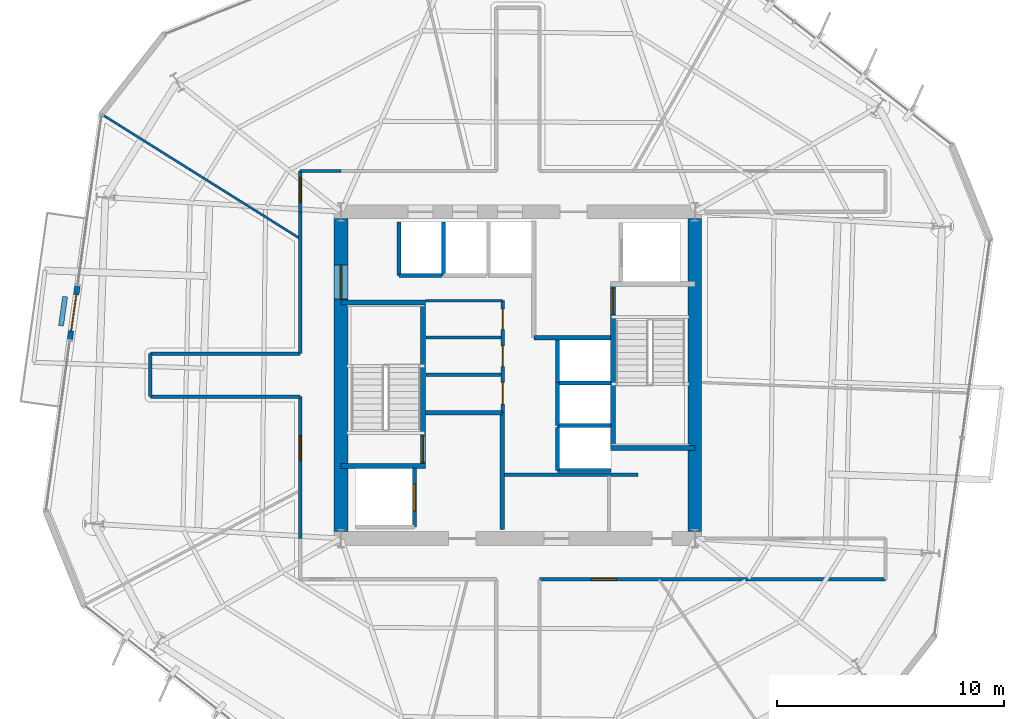
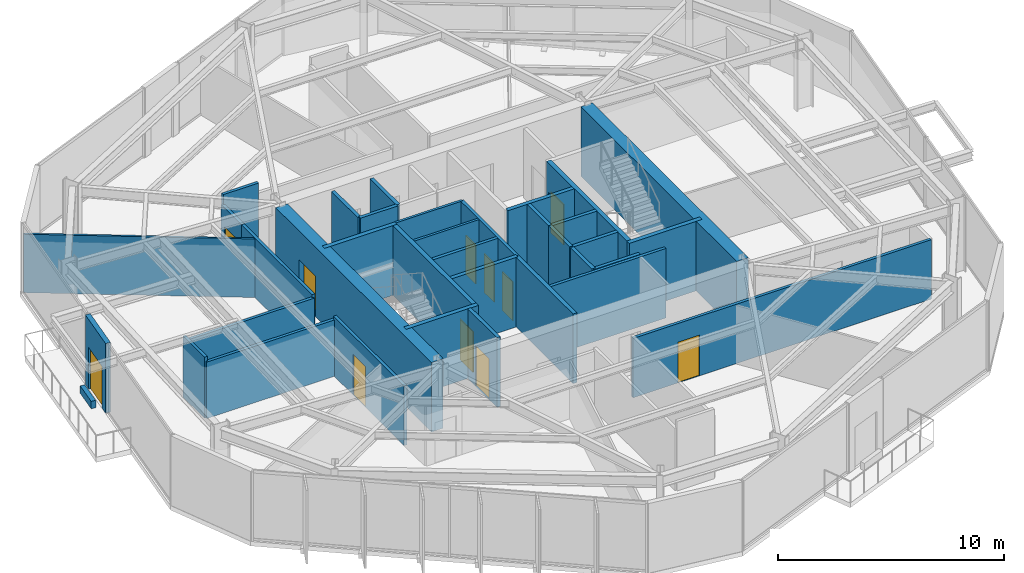
# One storey, part 7 of 12: 36 walls, 11 doors, 11 openings.
"""IFC4 building model written with IfcOpenShell, lengths in metres."""

from ifc_helpers import new_model, si_unit, direction, frame, frame_2d, origin, place, context, subcontext, project, spatial, rectangle, extrude, material, layer, layer_set, type_object, element, fill, save


model = new_model("IFC4")

# Units and contexts
model_context = context("Model", 3, precision=1e-05, world=origin(), true_north=direction((0.0, 1.0)))
body_context = subcontext(model_context, "Body", "Model", "MODEL_VIEW")
ifc_project = project(units=[si_unit("LENGTHUNIT", "METRE"), si_unit("AREAUNIT", "SQUARE_METRE"), si_unit("VOLUMEUNIT", "CUBIC_METRE"), si_unit("PLANEANGLEUNIT", "RADIAN"), si_unit("MASSUNIT", "GRAM", prefix="KILO")], contexts=[model_context])

# Site, building, storey
site_placement = place(None, origin())
site = spatial("IfcSite", under=ifc_project, at=site_placement, CompositionType="ELEMENT")
building_placement = place(site_placement, origin())
building = spatial("IfcBuilding", under=site, at=building_placement, Name="Kranzbogen Civic Tower", CompositionType="ELEMENT")
storey_placement = place(building_placement, frame((0.0, 0.0, 110.39990234375)))
storey = spatial("IfcBuildingStorey", under=building, at=storey_placement, Name="L26", CompositionType="ELEMENT", Elevation=110.39990234375)

# Wall
ifc_material_1 = material(Name="Double-Stud Acoustic Gypsum Partition")
ifc_layer_1 = layer(ifc_material_1, 0.14990234375, Name="Double-Stud Acoustic Gypsum Partition")
ifc_layer_set_1 = layer_set([ifc_layer_1], Name="Double-Stud Acoustic Gypsum Partition")
wall_type_1 = type_object("IfcWallType", Name="Acoustic Corridor and Clinical Partition 150 mm", PredefinedType="PARTITIONING", material=ifc_layer_set_1)
wall_1_placement = place(storey_placement, frame((24.39990234375, 20.610107421875, 0.0), z_axis=(0.0, 0.0, 1.0), x_axis=(1.0, 0.0, 0.0)))
element("IfcWall", 1, at=wall_1_placement, inside=storey, type_object=wall_type_1, Name="L26 records zone North wall", PredefinedType="PARTITIONING", context=body_context, shape_type="SweptSolid", body=[
    extrude(rectangle(XDim=5.900146484375, YDim=0.14990234375, at=frame_2d((2.9501953125, 0.0))), origin(), (0.0, 0.0, 1.0), 3.760009765625),
])

# Wall, opening, door
wall_2_placement = place(storey_placement, frame((15.39990234375, 17.800048828125, 0.0), z_axis=(0.0, 0.0, 1.0), x_axis=(0.0, 1.0, 0.0)))
wall_2 = element("IfcWall", 2, at=wall_2_placement, inside=storey, type_object=wall_type_1, Name="L26 corridor partition 03", PredefinedType="PARTITIONING", context=body_context, shape_type="SweptSolid", body=[
    extrude(rectangle(XDim=6.25, YDim=0.14990234375, at=frame_2d((3.125, 0.0))), origin(), (0.0, 0.0, 1.0), 3.210205078125),
])
opening_1_placement = place(wall_2_placement, frame((3.428955078125, 0.0, 0.0)))
opening_1 = element("IfcOpeningElement", 3, at=opening_1_placement, cuts=wall_2, Name="Opening D-COR60", PredefinedType="OPENING", context=body_context, shape_type="SweptSolid", body=[
    extrude(rectangle(XDim=1.10009765625, YDim=2.199951171875, at=frame_2d((0.550048828125, 1.10009765625))), frame((0.0, 0.0849609375, 0.0), z_axis=(0.0, -1.0, 0.0), x_axis=(1.0, 0.0, 0.0)), (0.0, 0.0, 1.0), 0.169921875),
])
ifc_material_2 = material(Name="Oak Timber and Fire Core", Category="wood")
door_type_1 = type_object("IfcDoorType", Name="Corridor Acoustic Fire Door 1100x2200", OperationType="NOTDEFINED", PredefinedType="DOOR", material=ifc_material_2)
door_1_placement = place(opening_1_placement, origin())
door_1 = element("IfcDoor", 4, at=door_1_placement, inside=storey, type_object=door_type_1, Name="L26 Public Delegation Reception door", OperationType="SINGLE_SWING_RIGHT", OverallHeight=2.199951171875, OverallWidth=1.10009765625, PredefinedType="DOOR", context=body_context, shape_type="SweptSolid", body=[
    extrude(rectangle(XDim=1.10009765625, YDim=2.199951171875, at=frame_2d((0.550048828125, 1.10009765625))), frame((0.0, 0.02490234375, 0.0), z_axis=(0.0, -1.0, 0.0), x_axis=(1.0, 0.0, 0.0)), (0.0, 0.0, 1.0), 0.050048828125),
])
fill(opening_1, door_1)

# Walls
wall_3_placement = place(storey_placement, frame((15.39990234375, 24.050048828125, 0.0), z_axis=(0.0, 0.0, 1.0), x_axis=(-1.0, 0.0, 0.0)))
element("IfcWall", 5, at=wall_3_placement, inside=storey, type_object=wall_type_1, Name="L26 corridor partition 04", PredefinedType="PARTITIONING", context=body_context, shape_type="SweptSolid", body=[
    extrude(rectangle(XDim=6.599853515625, YDim=0.14990234375, at=frame_2d((3.2998046875, 0.0))), origin(), (0.0, 0.0, 1.0), 3.050048828125),
])
wall_4_placement = place(storey_placement, frame((8.800048828125, 24.050048828125, 0.0), z_axis=(0.0, 0.0, 1.0), x_axis=(0.0, 1.0, 0.0)))
element("IfcWall", 6, at=wall_4_placement, inside=storey, type_object=wall_type_1, Name="L26 corridor partition 05", PredefinedType="PARTITIONING", context=body_context, shape_type="SweptSolid", body=[
    extrude(rectangle(XDim=1.89990234375, YDim=0.14990234375, at=frame_2d((0.949951171875, 0.0))), origin(), (0.0, 0.0, 1.0), 3.300048828125),
])
wall_5_placement = place(storey_placement, frame((8.800048828125, 25.949951171875, 0.0), z_axis=(0.0, 0.0, 1.0), x_axis=(1.0, 0.0, 0.0)))
element("IfcWall", 7, at=wall_5_placement, inside=storey, type_object=wall_type_1, Name="L26 corridor partition 06", PredefinedType="PARTITIONING", context=body_context, shape_type="SweptSolid", body=[
    extrude(rectangle(XDim=6.599853515625, YDim=0.14990234375, at=frame_2d((3.2998046875, 0.0))), origin(), (0.0, 0.0, 1.0), 3.050048828125),
])
wall_6_placement = place(storey_placement, frame((15.39990234375, 25.949951171875, 0.0), z_axis=(0.0, 0.0, 1.0), x_axis=(0.0, 1.0, 0.0)))
element("IfcWall", 8, at=wall_6_placement, inside=storey, type_object=wall_type_1, Name="L26 corridor partition 07", PredefinedType="PARTITIONING", context=body_context, shape_type="SweptSolid", body=[
    extrude(rectangle(XDim=6.25, YDim=0.14990234375, at=frame_2d((3.125, 0.0))), origin(), (0.0, 0.0, 1.0), 3.210205078125),
])

# Wall, opening, door
wall_7_placement = place(storey_placement, frame((15.39990234375, 32.199951171875, 0.0), z_axis=(0.0, 0.0, 1.0), x_axis=(0.0, 1.0, 0.0)))
wall_7 = element("IfcWall", 9, at=wall_7_placement, inside=storey, type_object=wall_type_1, Name="L26 corridor partition 08", PredefinedType="PARTITIONING", context=body_context, shape_type="SweptSolid", body=[
    extrude(rectangle(XDim=1.800048828125, YDim=0.14990234375, at=frame_2d((0.89990234375, 0.0))), origin(), (0.0, 0.0, 1.0), 3.210205078125),
])
opening_2_placement = place(wall_7_placement, frame((0.4130859375, 0.0, 0.0)))
opening_2 = element("IfcOpeningElement", 10, at=opening_2_placement, cuts=wall_7, Name="Opening D-COR60", PredefinedType="OPENING", context=body_context, shape_type="SweptSolid", body=[
    extrude(rectangle(XDim=1.10009765625, YDim=2.199951171875, at=frame_2d((0.550048828125, 1.10009765625))), frame((0.0, 0.0849609375, 0.0), z_axis=(0.0, -1.0, 0.0), x_axis=(1.0, 0.0, 0.0)), (0.0, 0.0, 1.0), 0.169921875),
])
door_2_placement = place(opening_2_placement, origin())
door_2 = element("IfcDoor", 11, at=door_2_placement, inside=storey, type_object=door_type_1, Name="L26 Protocol Dining Room door", OperationType="SINGLE_SWING_LEFT", OverallHeight=2.199951171875, OverallWidth=1.10009765625, PredefinedType="DOOR", context=body_context, shape_type="SweptSolid", body=[
    extrude(rectangle(XDim=1.10009765625, YDim=2.199951171875, at=frame_2d((0.550048828125, 1.10009765625))), frame((0.0, 0.02490234375, 0.0), z_axis=(0.0, -1.0, 0.0), x_axis=(1.0, 0.0, 0.0)), (0.0, 0.0, 1.0), 0.050048828125),
])
fill(opening_2, door_2)

# Wall
wall_8_placement = place(storey_placement, frame((15.39990234375, 34.0, 0.0), z_axis=(0.0, 0.0, 1.0), x_axis=(1.0, 0.0, 0.0)))
element("IfcWall", 12, at=wall_8_placement, inside=storey, type_object=wall_type_1, Name="L26 corridor partition 09", PredefinedType="PARTITIONING", context=body_context, shape_type="SweptSolid", body=[
    extrude(rectangle(XDim=1.800048828125, YDim=0.14990234375, at=frame_2d((0.89990234375, 0.0))), origin(), (0.0, 0.0, 1.0), 3.760009765625),
])

# Wall, opening, door
wall_9_placement = place(storey_placement, frame((41.199951171875, 16.0, 0.0), z_axis=(0.0, 0.0, 1.0), x_axis=(-1.0, 0.0, 0.0)))
wall_9 = element("IfcWall", 13, at=wall_9_placement, inside=storey, type_object=wall_type_1, Name="L26 corridor partition 19", PredefinedType="PARTITIONING", context=body_context, shape_type="SweptSolid", body=[
    extrude(rectangle(XDim=15.25, YDim=0.14990234375, at=frame_2d((7.625, 0.0))), origin(), (0.0, 0.0, 1.0), 3.210205078125),
])
opening_3_placement = place(wall_9_placement, frame((11.861083984375, 0.0, 0.0)))
opening_3 = element("IfcOpeningElement", 14, at=opening_3_placement, cuts=wall_9, Name="Opening D-COR60", PredefinedType="OPENING", context=body_context, shape_type="SweptSolid", body=[
    extrude(rectangle(XDim=1.10009765625, YDim=2.199951171875, at=frame_2d((0.550048828125, 1.10009765625))), frame((0.0, 0.0849609375, 0.0), z_axis=(0.0, -1.0, 0.0), x_axis=(1.0, 0.0, 0.0)), (0.0, 0.0, 1.0), 0.169921875),
])
door_3_placement = place(opening_3_placement, origin())
door_3 = element("IfcDoor", 15, at=door_3_placement, inside=storey, type_object=door_type_1, Name="L26 Parliamentary Review Boardroom door", OperationType="SINGLE_SWING_LEFT", OverallHeight=2.199951171875, OverallWidth=1.10009765625, PredefinedType="DOOR", context=body_context, shape_type="SweptSolid", body=[
    extrude(rectangle(XDim=1.10009765625, YDim=2.199951171875, at=frame_2d((0.550048828125, 1.10009765625))), frame((0.0, 0.02490234375, 0.0), z_axis=(0.0, -1.0, 0.0), x_axis=(1.0, 0.0, 0.0)), (0.0, 0.0, 1.0), 0.050048828125),
])
fill(opening_3, door_3)

# Walls
ifc_material_3 = material(Name="Insulated Metal-Stud Gypsum Partition")
ifc_layer_2 = layer(ifc_material_3, 0.125, Name="Insulated Metal-Stud Gypsum Partition")
ifc_layer_set_2 = layer_set([ifc_layer_2], Name="Insulated Metal-Stud Gypsum Partition")
wall_type_2 = type_object("IfcWallType", Name="Acoustic Inter-Room Partition 125 mm", PredefinedType="PARTITIONING", material=ifc_layer_set_2)
wall_10_placement = place(storey_placement, frame((20.919921875, 28.280029296875, 0.0), z_axis=(0.0, 0.0, 1.0), x_axis=(1.0, 0.0, 0.0)))
element("IfcWall", 16, at=wall_10_placement, inside=storey, type_object=wall_type_2, Name="L26 core auxiliary North wall", PredefinedType="PARTITIONING", context=body_context, shape_type="SweptSolid", body=[
    extrude(rectangle(XDim=3.405029296875, YDim=0.125, at=frame_2d((1.70263671875, 0.0))), origin(), (0.0, 0.0, 1.0), 3.760009765625),
])
wall_11_placement = place(storey_placement, frame((20.949951171875, 26.659912109375, 0.0), z_axis=(0.0, 0.0, 1.0), x_axis=(1.0, 0.0, 0.0)))
element("IfcWall", 17, at=wall_11_placement, inside=storey, type_object=wall_type_2, Name="L26 core auxiliary partition 3", PredefinedType="PARTITIONING", context=body_context, shape_type="SweptSolid", body=[
    extrude(rectangle(XDim=3.300048828125, YDim=0.125, at=frame_2d((1.64990234375, 0.0))), origin(), (0.0, 0.0, 1.0), 3.760009765625),
])
ifc_material_4 = material(Name="Architectural Precast Terracotta Concrete C40/50", Category="masonry")
ifc_layer_3 = layer(ifc_material_4, 0.219970703125, Name="Architectural Precast Terracotta Concrete C40/50")
ifc_layer_set_3 = layer_set([ifc_layer_3], Name="Architectural Precast Terracotta Concrete C40/50")
wall_type_3 = type_object("IfcWallType", Name="Architectural Tree Planter Kerb Wall 220 mm", PredefinedType="USERDEFINED", material=ifc_layer_set_3)
wall_12_placement = place(storey_placement, frame((5.0400390625, 28.4619140625, 0.0), z_axis=(0.0, 0.0, 1.0), x_axis=(-0.138371628126, -0.990380377698, 0.0)))
element("IfcWall", 18, at=wall_12_placement, inside=storey, type_object=wall_type_3, Name="L26 landscaped tree balcony planter L26-ST", ObjectType="PLANTER_WALL", PredefinedType="USERDEFINED", context=body_context, shape_type="SweptSolid", body=[
    extrude(rectangle(XDim=1.30029296875, YDim=0.219970703125, at=frame_2d((0.650146484375, 0.0))), origin(), (0.0, 0.0, 1.0), 0.400146484375),
])

# Wall, opening, door
ifc_material_5 = material(Name="Concrete C55/67", Category="concrete")
ifc_layer_4 = layer(ifc_material_5, 0.60009765625, Name="Concrete C55/67")
ifc_layer_set_4 = layer_set([ifc_layer_4], Name="Concrete C55/67")
wall_type_4 = type_object("IfcWallType", Name="Central Core Shear Wall 600 mm", PredefinedType="SHEAR", material=ifc_layer_set_4)
wall_13_placement = place(storey_placement, frame((17.199951171875, 31.89990234375, 0.0), z_axis=(0.0, 0.0, 1.0), x_axis=(0.0, -1.0, 0.0)))
wall_13 = element("IfcWall", 19, at=wall_13_placement, inside=storey, type_object=wall_type_4, Name="L26 central core West shear wall", PredefinedType="SHEAR", context=body_context, shape_type="SweptSolid", body=[
    extrude(rectangle(XDim=13.7998046875, YDim=0.60009765625, at=frame_2d((6.89990234375, 0.0))), origin(), (0.0, 0.0, 1.0), 3.760009765625),
])
opening_4_placement = place(wall_13_placement, frame((2.050048828125, 0.0, 0.0)))
opening_4 = element("IfcOpeningElement", 20, at=opening_4_placement, cuts=wall_13, Name="Opening D-DBL15", PredefinedType="OPENING", context=body_context, shape_type="SweptSolid", body=[
    extrude(rectangle(XDim=1.5, YDim=2.199951171875, at=frame_2d((0.75, 1.10009765625))), frame((0.0, 0.31005859375, 0.0), z_axis=(0.0, -1.0, 0.0), x_axis=(1.0, 0.0, 0.0)), (0.0, 0.0, 1.0), 0.6201171875),
])
ifc_material_6 = material(Name="Anodised Bronze and Glass", Category="glass")
door_type_2 = type_object("IfcDoorType", Name="Civic Lobby Double Door 1500x2200", OperationType="DOUBLE_DOOR_SINGLE_SWING", PredefinedType="DOOR", material=ifc_material_6)
door_4_placement = place(opening_4_placement, origin())
door_4 = element("IfcDoor", 21, at=door_4_placement, inside=storey, type_object=door_type_2, Name="L26 Central Lift Lobby West concourse door", OperationType="DOUBLE_DOOR_SINGLE_SWING", OverallHeight=2.199951171875, OverallWidth=1.5, PredefinedType="DOOR", context=body_context, shape_type="SweptSolid", body=[
    extrude(rectangle(XDim=1.5, YDim=2.199951171875, at=frame_2d((0.75, 1.10009765625))), frame((0.0, 0.02490234375, 0.0), z_axis=(0.0, -1.0, 0.0), x_axis=(1.0, 0.0, 0.0)), (0.0, 0.0, 1.0), 0.050048828125),
])
fill(opening_4, door_4)

# Wall
wall_14_placement = place(storey_placement, frame((32.800048828125, 18.10009765625, 0.0), z_axis=(0.0, 0.0, 1.0), x_axis=(0.0, 1.0, 0.0)))
element("IfcWall", 22, at=wall_14_placement, inside=storey, type_object=wall_type_4, Name="L26 central core East shear wall", PredefinedType="SHEAR", context=body_context, shape_type="SweptSolid", body=[
    extrude(rectangle(XDim=13.7998046875, YDim=0.60009765625, at=frame_2d((6.89990234375, 0.0))), origin(), (0.0, 0.0, 1.0), 3.760009765625),
])

# Wall, opening, door
ifc_material_7 = material(Name="Concrete C45/55", Category="concrete")
ifc_layer_5 = layer(ifc_material_7, 0.219970703125, Name="Concrete C45/55")
ifc_layer_set_5 = layer_set([ifc_layer_5], Name="Concrete C45/55")
wall_type_5 = type_object("IfcWallType", Name="Core Internal Stair Structural Wall 220 mm", PredefinedType="SOLIDWALL", material=ifc_layer_set_5)
wall_15_placement = place(storey_placement, frame((20.81005859375, 20.989990234375, 0.0), z_axis=(0.0, 0.0, 1.0), x_axis=(0.0, 1.0, 0.0)))
wall_15 = element("IfcWall", 23, at=wall_15_placement, inside=storey, type_object=wall_type_5, Name="L26 ST-T1 East structural stair wall", PredefinedType="SOLIDWALL", context=body_context, shape_type="SweptSolid", body=[
    extrude(rectangle(XDim=7.219970703125, YDim=0.219970703125, at=frame_2d((3.60986328125, 0.0))), origin(), (0.0, 0.0, 1.0), 3.760009765625),
])
opening_5_placement = place(wall_15_placement, frame((0.179931640625, 0.0, 0.0)))
opening_5 = element("IfcOpeningElement", 24, at=opening_5_placement, cuts=wall_15, Name="Opening D-ST90", PredefinedType="OPENING", context=body_context, shape_type="SweptSolid", body=[
    extrude(rectangle(XDim=1.14990234375, YDim=2.199951171875, at=frame_2d((0.574951171875, 1.10009765625))), frame((0.0, 0.1201171875, 0.0), z_axis=(0.0, -1.0, 0.0), x_axis=(1.0, 0.0, 0.0)), (0.0, 0.0, 1.0), 0.239990234375),
])
ifc_material_8 = material(Name="Steel S355", Category="steel")
door_type_3 = type_object("IfcDoorType", Name="Pressurized Stair and Lobby Fire Door 1150x2200", OperationType="NOTDEFINED", PredefinedType="DOOR", material=ifc_material_8)
door_5_placement = place(opening_5_placement, origin())
door_5 = element("IfcDoor", 25, at=door_5_placement, inside=storey, type_object=door_type_3, Name="L26 Stair ST-T1 fire door", OperationType="SINGLE_SWING_LEFT", OverallHeight=2.199951171875, OverallWidth=1.14990234375, PredefinedType="DOOR", context=body_context, shape_type="SweptSolid", body=[
    extrude(rectangle(XDim=1.14990234375, YDim=2.199951171875, at=frame_2d((0.574951171875, 1.10009765625))), frame((0.0, 0.02490234375, 0.0), z_axis=(0.0, -1.0, 0.0), x_axis=(1.0, 0.0, 0.0)), (0.0, 0.0, 1.0), 0.050048828125),
])
fill(opening_5, door_5)

# Walls
for number, where, z_axis, x_axis, name in (
    (26, (17.199951171875, 20.989990234375, 0.0), (0.0, 0.0, 1.0), (1.0, 0.0, 0.0), "L26 ST-T1 South structural stair wall"),
    (27, (17.199951171875, 28.2099609375, 0.0), (0.0, 0.0, 1.0), (1.0, 0.0, 0.0), "L26 ST-T1 North structural stair wall"),
):
    element("IfcWall", number, at=place(storey_placement, frame(where, z_axis=z_axis, x_axis=x_axis)), inside=storey, type_object=wall_type_5, Name=name, PredefinedType="SOLIDWALL", context=body_context, shape_type="SweptSolid", body=[
        extrude(rectangle(XDim=3.719970703125, YDim=0.219970703125, at=frame_2d((1.85986328125, 0.0))), origin(), (0.0, 0.0, 1.0), 3.760009765625),
    ])

# Wall, opening, door
wall_16_placement = place(storey_placement, frame((29.18994140625, 21.7900390625, 0.0), z_axis=(0.0, 0.0, 1.0), x_axis=(0.0, 1.0, 0.0)))
wall_16 = element("IfcWall", 28, at=wall_16_placement, inside=storey, type_object=wall_type_5, Name="L26 ST-T2 West structural stair wall", PredefinedType="SOLIDWALL", context=body_context, shape_type="SweptSolid", body=[
    extrude(rectangle(XDim=7.219970703125, YDim=0.219970703125, at=frame_2d((3.60986328125, 0.0))), origin(), (0.0, 0.0, 1.0), 3.760009765625),
])
opening_6_placement = place(wall_16_placement, frame((5.8798828125, 0.0, 0.0)))
opening_6 = element("IfcOpeningElement", 29, at=opening_6_placement, cuts=wall_16, Name="Opening D-ST90", PredefinedType="OPENING", context=body_context, shape_type="SweptSolid", body=[
    extrude(rectangle(XDim=1.14990234375, YDim=2.199951171875, at=frame_2d((0.574951171875, 1.10009765625))), frame((0.0, 0.1201171875, 0.0), z_axis=(0.0, -1.0, 0.0), x_axis=(1.0, 0.0, 0.0)), (0.0, 0.0, 1.0), 0.239990234375),
])
door_6_placement = place(opening_6_placement, origin())
door_6 = element("IfcDoor", 30, at=door_6_placement, inside=storey, type_object=door_type_3, Name="L26 Stair ST-T2 fire door", OperationType="SINGLE_SWING_RIGHT", OverallHeight=2.199951171875, OverallWidth=1.14990234375, PredefinedType="DOOR", context=body_context, shape_type="SweptSolid", body=[
    extrude(rectangle(XDim=1.14990234375, YDim=2.199951171875, at=frame_2d((0.574951171875, 1.10009765625))), frame((0.0, 0.02490234375, 0.0), z_axis=(0.0, -1.0, 0.0), x_axis=(1.0, 0.0, 0.0)), (0.0, 0.0, 1.0), 0.050048828125),
])
fill(opening_6, door_6)

# Walls
wall_17_placement = place(storey_placement, frame((29.080078125, 21.7900390625, 0.0), z_axis=(0.0, 0.0, 1.0), x_axis=(1.0, 0.0, 0.0)))
element("IfcWall", 31, at=wall_17_placement, inside=storey, type_object=wall_type_5, Name="L26 ST-T2 South structural stair wall", PredefinedType="SOLIDWALL", context=body_context, shape_type="SweptSolid", body=[
    extrude(rectangle(XDim=3.719970703125, YDim=0.219970703125, at=frame_2d((1.85986328125, 0.0))), origin(), (0.0, 0.0, 1.0), 3.760009765625),
])
ifc_material_9 = material(Name="Demountable Aluminium and Gypsum Partition", Category="aluminium")
ifc_layer_6 = layer(ifc_material_9, 0.10009765625, Name="Demountable Aluminium and Gypsum Partition")
ifc_layer_set_6 = layer_set([ifc_layer_6], Name="Demountable Aluminium and Gypsum Partition")
wall_type_6 = type_object("IfcWallType", Name="Demountable Office Partition 100 mm", PredefinedType="MOVABLE", material=ifc_layer_set_6)
wall_18_placement = place(storey_placement, frame((15.39990234375, 31.01611328125, 0.0), z_axis=(0.0, 0.0, 1.0), x_axis=(-0.847334971685, 0.531058796896, 0.0)))
element("IfcWall", 32, at=wall_18_placement, inside=storey, type_object=wall_type_6, Name="L26 radial room partition 03", PredefinedType="MOVABLE", context=body_context, shape_type="SweptSolid", body=[
    extrude(rectangle(XDim=10.307373046875, YDim=0.10009765625, at=frame_2d((5.15380859375, 0.0))), origin(), (0.0, 0.0, 1.0), 3.16015625),
])
ifc_material_10 = material(Name="Gypsum Fireboard and Concrete Block", Category="concrete")
ifc_layer_7 = layer(ifc_material_10, 0.199951171875, Name="Gypsum Fireboard and Concrete Block")
ifc_layer_set_7 = layer_set([ifc_layer_7], Name="Gypsum Fireboard and Concrete Block")
wall_type_7 = type_object("IfcWallType", Name="Fire-Rated Exit Passageway and Stair Wall 200 mm", PredefinedType="PARTITIONING", material=ifc_layer_set_7)
wall_19_placement = place(storey_placement, frame((24.300048828125, 18.199951171875, 0.0), z_axis=(0.0, 0.0, 1.0), x_axis=(0.0, 1.0, 0.0)))
element("IfcWall", 33, at=wall_19_placement, inside=storey, type_object=wall_type_7, Name="L26 West firefighting lobby East wall", PredefinedType="PARTITIONING", context=body_context, shape_type="SweptSolid", body=[
    extrude(rectangle(XDim=5.150146484375, YDim=0.199951171875, at=frame_2d((2.5751953125, 0.0))), origin(), (0.0, 0.0, 1.0), 3.760009765625),
])
for number, where, z_axis, x_axis, name in (
    (34, (20.919921875, 23.35009765625, 0.0), (0.0, 0.0, 1.0), (1.0, 0.0, 0.0), "L26 West firefighting lobby North wall"),
    (35, (25.699951171875, 26.64990234375, 0.0), (0.0, 0.0, 1.0), (1.0, 0.0, 0.0), "L26 East firefighting lobby South wall"),
):
    element("IfcWall", number, at=place(storey_placement, frame(where, z_axis=z_axis, x_axis=x_axis)), inside=storey, type_object=wall_type_7, Name=name, PredefinedType="PARTITIONING", context=body_context, shape_type="SweptSolid", body=[
        extrude(rectangle(XDim=3.380126953125, YDim=0.199951171875, at=frame_2d((1.68994140625, 0.0))), origin(), (0.0, 0.0, 1.0), 3.760009765625),
    ])
ifc_material_11 = material(Name="Gypsum Fireboard Shaftliner")
ifc_layer_8 = layer(ifc_material_11, 0.175048828125, Name="Gypsum Fireboard Shaftliner")
ifc_layer_set_8 = layer_set([ifc_layer_8], Name="Gypsum Fireboard Shaftliner")
wall_type_8 = type_object("IfcWallType", Name="Fire-Rated Lift and Service Shaft Wall 175 mm", PredefinedType="PARTITIONING", material=ifc_layer_set_8)
wall_20_placement = place(storey_placement, frame((19.75, 29.39990234375, 0.0), z_axis=(0.0, 0.0, 1.0), x_axis=(1.0, 0.0, 0.0)))
element("IfcWall", 36, at=wall_20_placement, inside=storey, type_object=wall_type_8, Name="L26 lift MP-01 rear wall", PredefinedType="PARTITIONING", context=body_context, shape_type="SweptSolid", body=[
    extrude(rectangle(XDim=1.89990234375, YDim=0.175048828125, at=frame_2d((0.949951171875, 0.0))), origin(), (0.0, 0.0, 1.0), 3.760009765625),
])
for number, where, z_axis, x_axis, name in (
    (37, (19.75, 29.39990234375, 0.0), (0.0, 0.0, 1.0), (0.0, 1.0, 0.0), "L26 lift MP-01 side wall"),
    (38, (21.72509765625, 29.39990234375, 0.0), (0.0, 0.0, 1.0), (0.0, 1.0, 0.0), "L26 lift MP-02 side wall"),
):
    element("IfcWall", number, at=place(storey_placement, frame(where, z_axis=z_axis, x_axis=x_axis)), inside=storey, type_object=wall_type_8, Name=name, PredefinedType="PARTITIONING", context=body_context, shape_type="SweptSolid", body=[
        extrude(rectangle(XDim=2.35009765625, YDim=0.175048828125, at=frame_2d((1.175048828125, 0.0))), origin(), (0.0, 0.0, 1.0), 3.760009765625),
    ])
wall_21_placement = place(storey_placement, frame((26.75, 20.800048828125, 0.0), z_axis=(0.0, 0.0, 1.0), x_axis=(0.0, 1.0, 0.0)))
element("IfcWall", 39, at=wall_21_placement, inside=storey, type_object=wall_type_8, Name="L26 lift HP-01 landing wall", PredefinedType="PARTITIONING", context=body_context, shape_type="SweptSolid", body=[
    extrude(rectangle(XDim=1.89990234375, YDim=0.175048828125, at=frame_2d((0.949951171875, 0.0))), origin(), (0.0, 0.0, 1.0), 3.760009765625),
])
wall_22_placement = place(storey_placement, frame((26.75, 20.800048828125, 0.0), z_axis=(0.0, 0.0, 1.0), x_axis=(1.0, 0.0, 0.0)))
element("IfcWall", 40, at=wall_22_placement, inside=storey, type_object=wall_type_8, Name="L26 lift HP-01 side wall", PredefinedType="PARTITIONING", context=body_context, shape_type="SweptSolid", body=[
    extrude(rectangle(XDim=2.35009765625, YDim=0.175048828125, at=frame_2d((1.175048828125, 0.0))), origin(), (0.0, 0.0, 1.0), 3.760009765625),
])
wall_23_placement = place(storey_placement, frame((26.75, 22.77490234375, 0.0), z_axis=(0.0, 0.0, 1.0), x_axis=(0.0, 1.0, 0.0)))
element("IfcWall", 41, at=wall_23_placement, inside=storey, type_object=wall_type_8, Name="L26 lift HP-02 landing wall", PredefinedType="PARTITIONING", context=body_context, shape_type="SweptSolid", body=[
    extrude(rectangle(XDim=1.900146484375, YDim=0.175048828125, at=frame_2d((0.9501953125, 0.0))), origin(), (0.0, 0.0, 1.0), 3.760009765625),
])
wall_24_placement = place(storey_placement, frame((26.75, 22.77490234375, 0.0), z_axis=(0.0, 0.0, 1.0), x_axis=(1.0, 0.0, 0.0)))
element("IfcWall", 42, at=wall_24_placement, inside=storey, type_object=wall_type_8, Name="L26 lift HP-02 side wall", PredefinedType="PARTITIONING", context=body_context, shape_type="SweptSolid", body=[
    extrude(rectangle(XDim=2.35009765625, YDim=0.175048828125, at=frame_2d((1.175048828125, 0.0))), origin(), (0.0, 0.0, 1.0), 3.760009765625),
])
wall_25_placement = place(storey_placement, frame((26.75, 24.64990234375, 0.0), z_axis=(0.0, 0.0, 1.0), x_axis=(0.0, 1.0, 0.0)))
element("IfcWall", 43, at=wall_25_placement, inside=storey, type_object=wall_type_8, Name="L26 lift HP-03 landing wall", PredefinedType="PARTITIONING", context=body_context, shape_type="SweptSolid", body=[
    extrude(rectangle(XDim=1.900146484375, YDim=0.175048828125, at=frame_2d((0.9501953125, 0.0))), origin(), (0.0, 0.0, 1.0), 3.760009765625),
])
wall_26_placement = place(storey_placement, frame((26.75, 24.64990234375, 0.0), z_axis=(0.0, 0.0, 1.0), x_axis=(1.0, 0.0, 0.0)))
element("IfcWall", 44, at=wall_26_placement, inside=storey, type_object=wall_type_8, Name="L26 lift HP-03 side wall", PredefinedType="PARTITIONING", context=body_context, shape_type="SweptSolid", body=[
    extrude(rectangle(XDim=2.35009765625, YDim=0.175048828125, at=frame_2d((1.175048828125, 0.0))), origin(), (0.0, 0.0, 1.0), 3.760009765625),
])

# Wall, opening, door
wall_27_placement = place(storey_placement, frame((20.449951171875, 18.300048828125, 0.0), z_axis=(0.0, 0.0, 1.0), x_axis=(0.0, 1.0, 0.0)))
wall_27 = element("IfcWall", 45, at=wall_27_placement, inside=storey, type_object=wall_type_8, Name="L26 lift FF-01 landing wall", PredefinedType="PARTITIONING", context=body_context, shape_type="SweptSolid", body=[
    extrude(rectangle(XDim=2.599853515625, YDim=0.175048828125, at=frame_2d((1.2998046875, 0.0))), origin(), (0.0, 0.0, 1.0), 3.760009765625),
])
opening_7_placement = place(wall_27_placement, frame((0.699951171875, 0.0, 0.0)))
opening_7 = element("IfcOpeningElement", 46, at=opening_7_placement, cuts=wall_27, Name="Opening LD-FF-01", PredefinedType="OPENING", context=body_context, shape_type="SweptSolid", body=[
    extrude(rectangle(XDim=1.199951171875, YDim=2.199951171875, at=frame_2d((0.60009765625, 1.10009765625))), frame((0.0, 0.09765625, 0.0), z_axis=(0.0, -1.0, 0.0), x_axis=(1.0, 0.0, 0.0)), (0.0, 0.0, 1.0), 0.195068359375),
])
ifc_material_12 = material(Name="Pale Anodised Aluminium", Category="aluminium")
door_type_4 = type_object("IfcDoorType", Name="Firefighting and Stretcher Lift Sliding Landing Door 1200x2200", OperationType="DOUBLE_DOOR_SLIDING", PredefinedType="DOOR", material=ifc_material_12)
door_7_placement = place(opening_7_placement, origin())
door_7 = element("IfcDoor", 47, at=door_7_placement, inside=storey, type_object=door_type_4, Name="L26 lift FF-01 sliding landing door", OperationType="DOUBLE_DOOR_SLIDING", OverallHeight=2.199951171875, OverallWidth=1.199951171875, PredefinedType="DOOR", context=body_context, shape_type="SweptSolid", body=[
    extrude(rectangle(XDim=1.199951171875, YDim=2.199951171875, at=frame_2d((0.60009765625, 1.10009765625))), frame((0.0, 0.02490234375, 0.0), z_axis=(0.0, -1.0, 0.0), x_axis=(1.0, 0.0, 0.0)), (0.0, 0.0, 1.0), 0.050048828125),
])
fill(opening_7, door_7)

ifc_layer_9 = layer(ifc_material_12, 0.239990234375, Name="Pale Anodised Aluminium")
ifc_layer_set_9 = layer_set([ifc_layer_9], Name="Pale Anodised Aluminium")
wall_type_9 = type_object("IfcWallType", Name="Insulated Aluminium Facade Portal Wall 240 mm", PredefinedType="STANDARD", material=ifc_layer_set_9)
wall_28_placement = place(storey_placement, frame((5.587890625, 28.93994140625, 0.0), z_axis=(0.0, 0.0, 1.0), x_axis=(-0.139597798182, -0.990208288565, 0.0)))
wall_28 = element("IfcWall", 48, at=wall_28_placement, inside=storey, type_object=wall_type_9, Name="L26 exterior entrance portal wall 1", PredefinedType="STANDARD", context=body_context, shape_type="SweptSolid", body=[
    extrude(rectangle(XDim=2.3994140625, YDim=0.239990234375, at=frame_2d((1.19970703125, 0.0))), origin(), (0.0, 0.0, 1.0), 3.760009765625),
])
opening_8_placement = place(wall_28_placement, frame((0.39990234375, 0.0, 0.0)))
opening_8 = element("IfcOpeningElement", 49, at=opening_8_placement, cuts=wall_28, Name="Opening D-TER", PredefinedType="OPENING", context=body_context, shape_type="SweptSolid", body=[
    extrude(rectangle(XDim=1.60009765625, YDim=2.25, at=frame_2d((0.800048828125, 1.125))), frame((0.0, 0.1298828125, 0.0), z_axis=(0.0, -1.0, 0.0), x_axis=(1.0, 0.0, 0.0)), (0.0, 0.0, 1.0), 0.260009765625),
])
ifc_material_13 = material(Name="Anodised Bronze and Triple Glass", Category="glass")
door_type_5 = type_object("IfcDoorType", Name="Glazed Terrace and Balcony Double Door 1600x2250", OperationType="DOUBLE_DOOR_SINGLE_SWING", PredefinedType="DOOR", material=ifc_material_13)
door_8_placement = place(opening_8_placement, frame((1.60009765625, 0.0, 0.0), z_axis=(0.0, 0.0, 1.0), x_axis=(-1.0, 0.0, 0.0)))
door_8 = element("IfcDoor", 50, at=door_8_placement, inside=storey, type_object=door_type_5, Name="L26 spiral terrace access door L26-ST", OperationType="DOUBLE_DOOR_SINGLE_SWING", OverallHeight=2.25, OverallWidth=1.60009765625, PredefinedType="DOOR", context=body_context, shape_type="SweptSolid", body=[
    extrude(rectangle(XDim=1.60009765625, YDim=2.25, at=frame_2d((0.800048828125, 1.125))), frame((0.0, 0.02490234375, 0.0), z_axis=(0.0, -1.0, 0.0), x_axis=(1.0, 0.0, 0.0)), (0.0, 0.0, 1.0), 0.050048828125),
])
fill(opening_8, door_8)

# Wall, openings, doors
ifc_material_14 = material(Name="Moisture-Resistant Gypsum Assembly")
ifc_layer_10 = layer(ifc_material_14, 0.159912109375, Name="Moisture-Resistant Gypsum Assembly")
ifc_layer_set_10 = layer_set([ifc_layer_10], Name="Moisture-Resistant Gypsum Assembly")
wall_type_10 = type_object("IfcWallType", Name="Sanitary and Plumbing Wet Wall 160 mm", PredefinedType="PLUMBINGWALL", material=ifc_layer_set_10)
wall_29_placement = place(storey_placement, frame((24.324951171875, 23.35009765625, 0.0), z_axis=(0.0, 0.0, 1.0), x_axis=(0.0, 1.0, 0.0)))
wall_29 = element("IfcWall", 51, at=wall_29_placement, inside=storey, type_object=wall_type_10, Name="L26 core auxiliary East wall", PredefinedType="PLUMBINGWALL", context=body_context, shape_type="SweptSolid", body=[
    extrude(rectangle(XDim=4.929931640625, YDim=0.159912109375, at=frame_2d((2.46484375, 0.0))), origin(), (0.0, 0.0, 1.0), 3.760009765625),
])
opening_9_placement = place(wall_29_placement, frame((0.375, 0.0, 0.0)))
opening_9 = element("IfcOpeningElement", 52, at=opening_9_placement, cuts=wall_29, Name="Opening D-AWC95", PredefinedType="OPENING", context=body_context, shape_type="SweptSolid", body=[
    extrude(rectangle(XDim=0.949951171875, YDim=2.10009765625, at=frame_2d((0.47509765625, 1.050048828125))), frame((0.0, 0.08984375, 0.0), z_axis=(0.0, -1.0, 0.0), x_axis=(1.0, 0.0, 0.0)), (0.0, 0.0, 1.0), 0.179931640625),
])
opening_10_placement = place(wall_29_placement, frame((2.034912109375, 0.0, 0.0)))
opening_10 = element("IfcOpeningElement", 53, at=opening_10_placement, cuts=wall_29, Name="Opening D-WC90", PredefinedType="OPENING", context=body_context, shape_type="SweptSolid", body=[
    extrude(rectangle(XDim=0.89990234375, YDim=2.10009765625, at=frame_2d((0.449951171875, 1.050048828125))), frame((0.0, 0.08984375, 0.0), z_axis=(0.0, -1.0, 0.0), x_axis=(1.0, 0.0, 0.0)), (0.0, 0.0, 1.0), 0.179931640625),
])
opening_11_placement = place(wall_29_placement, frame((3.659912109375, 0.0, 0.0)))
opening_11 = element("IfcOpeningElement", 54, at=opening_11_placement, cuts=wall_29, Name="Opening D-WC90", PredefinedType="OPENING", context=body_context, shape_type="SweptSolid", body=[
    extrude(rectangle(XDim=0.89990234375, YDim=2.10009765625, at=frame_2d((0.449951171875, 1.050048828125))), frame((0.0, 0.08984375, 0.0), z_axis=(0.0, -1.0, 0.0), x_axis=(1.0, 0.0, 0.0)), (0.0, 0.0, 1.0), 0.179931640625),
])
ifc_material_15 = material(Name="Moisture-Resistant Laminate")
door_type_6 = type_object("IfcDoorType", Name="Accessible Restroom Door 950x2100", OperationType="NOTDEFINED", PredefinedType="DOOR", material=ifc_material_15)
door_9_placement = place(opening_9_placement, origin())
door_9 = element("IfcDoor", 55, at=door_9_placement, inside=storey, type_object=door_type_6, Name="L26 Accessible Restroom door", OperationType="SINGLE_SWING_LEFT", OverallHeight=2.10009765625, OverallWidth=0.949951171875, PredefinedType="DOOR", context=body_context, shape_type="SweptSolid", body=[
    extrude(rectangle(XDim=0.949951171875, YDim=2.10009765625, at=frame_2d((0.47509765625, 1.050048828125))), frame((0.0, 0.02490234375, 0.0), z_axis=(0.0, -1.0, 0.0), x_axis=(1.0, 0.0, 0.0)), (0.0, 0.0, 1.0), 0.050048828125),
])
fill(opening_9, door_9)
door_type_7 = type_object("IfcDoorType", Name="Standard Restroom and Store Door 900x2100", OperationType="NOTDEFINED", PredefinedType="DOOR", material=ifc_material_15)
door_10_placement = place(opening_10_placement, origin())
door_10 = element("IfcDoor", 56, at=door_10_placement, inside=storey, type_object=door_type_7, Name="L26 Staff Restroom door", OperationType="SINGLE_SWING_RIGHT", OverallHeight=2.10009765625, OverallWidth=0.89990234375, PredefinedType="DOOR", context=body_context, shape_type="SweptSolid", body=[
    extrude(rectangle(XDim=0.89990234375, YDim=2.10009765625, at=frame_2d((0.449951171875, 1.050048828125))), frame((0.0, 0.02490234375, 0.0), z_axis=(0.0, -1.0, 0.0), x_axis=(1.0, 0.0, 0.0)), (0.0, 0.0, 1.0), 0.050048828125),
])
fill(opening_10, door_10)
door_11_placement = place(opening_11_placement, origin())
door_11 = element("IfcDoor", 57, at=door_11_placement, inside=storey, type_object=door_type_7, Name="L26 Cleaner and Janitor Store door", OperationType="SINGLE_SWING_LEFT", OverallHeight=2.10009765625, OverallWidth=0.89990234375, PredefinedType="DOOR", context=body_context, shape_type="SweptSolid", body=[
    extrude(rectangle(XDim=0.89990234375, YDim=2.10009765625, at=frame_2d((0.449951171875, 1.050048828125))), frame((0.0, 0.02490234375, 0.0), z_axis=(0.0, -1.0, 0.0), x_axis=(1.0, 0.0, 0.0)), (0.0, 0.0, 1.0), 0.050048828125),
])
fill(opening_11, door_11)

# Wall
wall_30_placement = place(storey_placement, frame((20.949951171875, 25.010009765625, 0.0), z_axis=(0.0, 0.0, 1.0), x_axis=(1.0, 0.0, 0.0)))
element("IfcWall", 58, at=wall_30_placement, inside=storey, type_object=wall_type_10, Name="L26 core auxiliary partition 2", PredefinedType="PLUMBINGWALL", context=body_context, shape_type="SweptSolid", body=[
    extrude(rectangle(XDim=3.300048828125, YDim=0.159912109375, at=frame_2d((1.64990234375, 0.0))), origin(), (0.0, 0.0, 1.0), 3.760009765625),
])

save(model, "model.ifc")
